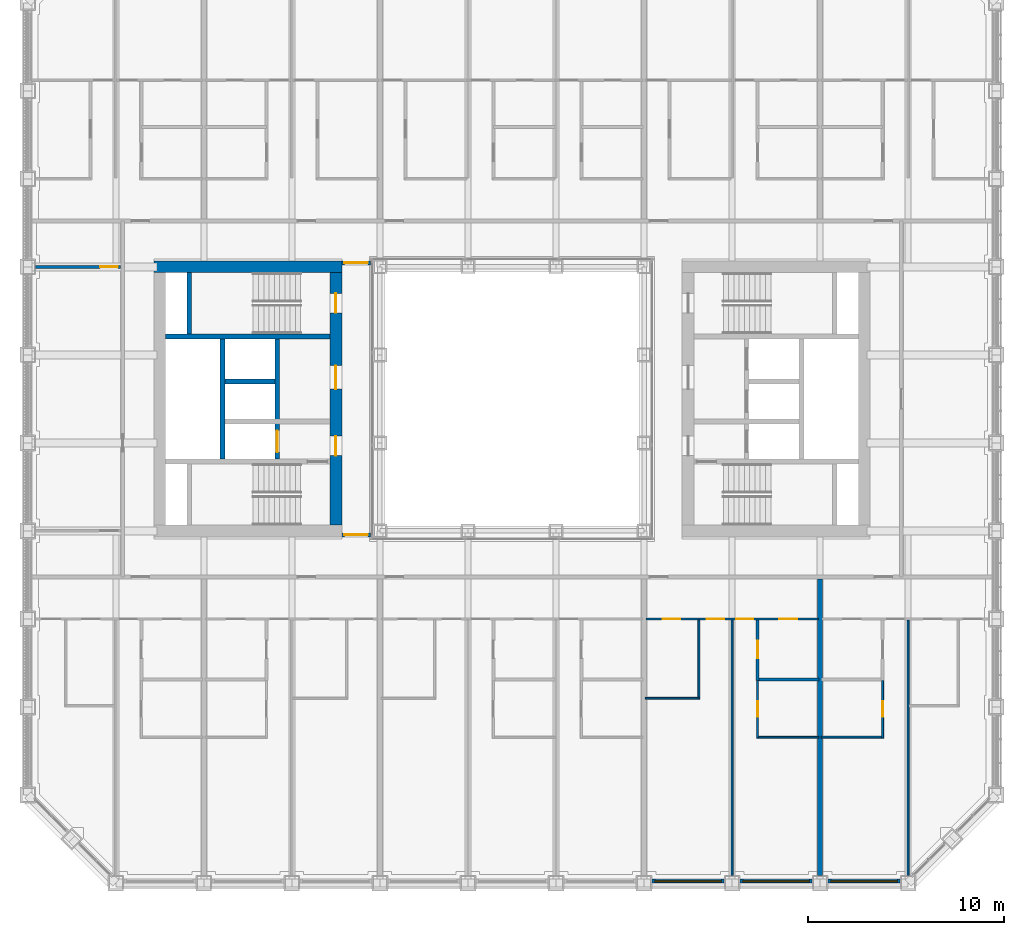
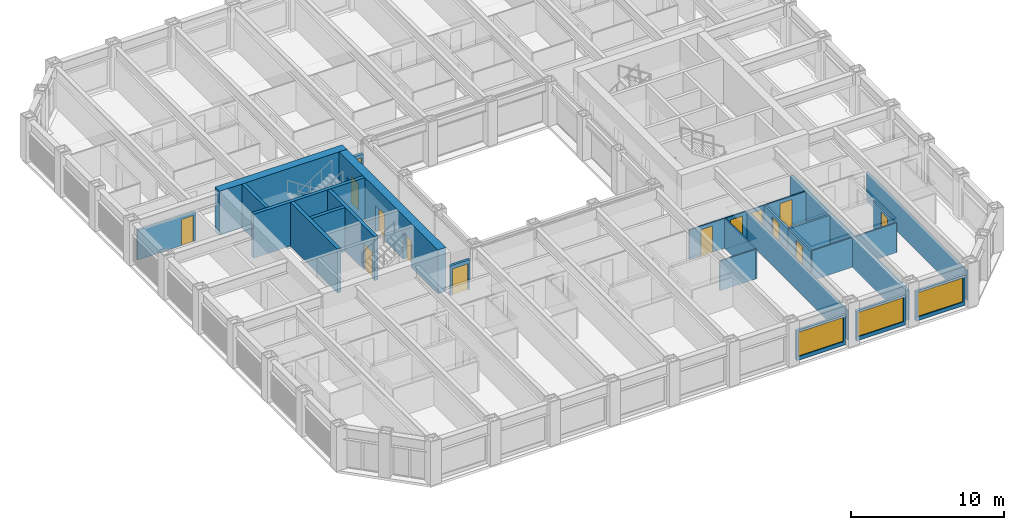
# One storey, part 11 of 21: 25 walls, 14 doors, 3 windows, 17 openings.
"""IFC4 building model written with IfcOpenShell, lengths in metres."""

from ifc_helpers import new_model, si_unit, direction, frame, frame_2d, origin, place, context, subcontext, project, spatial, rectangle, extrude, material, layer, layer_set, type_object, element, fill, save


model = new_model("IFC4")

# Units and contexts
model_context = context("Model", 3, precision=1e-05, world=origin(), true_north=direction((0.0, 1.0)))
body_context = subcontext(model_context, "Body", "Model", "MODEL_VIEW")
ifc_project = project(units=[si_unit("LENGTHUNIT", "METRE"), si_unit("AREAUNIT", "SQUARE_METRE"), si_unit("VOLUMEUNIT", "CUBIC_METRE"), si_unit("PLANEANGLEUNIT", "RADIAN"), si_unit("MASSUNIT", "GRAM", prefix="KILO")], contexts=[model_context])

# Site, building, storey
site_placement = place(None, origin())
site = spatial("IfcSite", under=ifc_project, at=site_placement, CompositionType="ELEMENT")
building_placement = place(site_placement, origin())
building = spatial("IfcBuilding", under=site, at=building_placement, Name="Msasa Ring Tower", CompositionType="ELEMENT")
storey_placement = place(building_placement, frame((0.0, 0.0, 51.0)))
storey = spatial("IfcBuildingStorey", under=building, at=storey_placement, Name="L12", CompositionType="ELEMENT", Elevation=51.0)

# Wall
ifc_material_1 = material(Name="Concrete C60/75", Category="concrete")
ifc_layer_1 = layer(ifc_material_1, 0.60009765625)
ifc_layer_set_1 = layer_set([ifc_layer_1], Name="CW1 CORE WALL 600")
wall_type_1 = type_object("IfcWallType", Name="CW1 CORE WALL 600", PredefinedType="SHEAR", material=ifc_layer_set_1)
wall_1_placement = place(storey_placement, frame((-8.699951171875, 6.75, 0.0), z_axis=(0.0, 0.0, 1.0), x_axis=(-1.0, 0.0, 0.0)))
element("IfcWall", 1, at=wall_1_placement, inside=storey, type_object=wall_type_1, Name="W core wall N L12", PredefinedType="SHEAR", context=body_context, shape_type="SweptSolid", body=[
    extrude(rectangle(XDim=9.60009765625, YDim=0.60009765625, at=frame_2d((4.800048828125, 0.0))), origin(), (0.0, 0.0, 1.0), 3.5),
])

# Wall, openings, doors
wall_2_placement = place(storey_placement, frame((-9.0, -6.449951171875, 0.0), z_axis=(0.0, 0.0, 1.0), x_axis=(0.0, 1.0, 0.0)))
wall_2 = element("IfcWall", 2, at=wall_2_placement, inside=storey, type_object=wall_type_1, Name="W core wall W L12", PredefinedType="SHEAR", context=body_context, shape_type="SweptSolid", body=[
    extrude(rectangle(XDim=12.89990234375, YDim=0.60009765625, at=frame_2d((6.449951171875, 0.0))), origin(), (0.0, 0.0, 1.0), 3.5),
])
opening_1_placement = place(wall_2_placement, frame((3.550048828125, 0.0, 0.0)))
opening_1 = element("IfcOpeningElement", 3, at=opening_1_placement, cuts=wall_2, Name="Opening RC-042", PredefinedType="OPENING", context=body_context, shape_type="SweptSolid", body=[
    extrude(rectangle(XDim=1.0, YDim=2.10009765625, at=frame_2d((0.5, 1.050048828125))), frame((0.0, 0.31005859375, 0.0), z_axis=(0.0, -1.0, 0.0), x_axis=(1.0, 0.0, 0.0)), (0.0, 0.0, 1.0), 0.6201171875),
])
opening_2_placement = place(wall_2_placement, frame((6.949951171875, 0.0, 0.0)))
opening_2 = element("IfcOpeningElement", 4, at=opening_2_placement, cuts=wall_2, Name="Opening RC-038", PredefinedType="OPENING", context=body_context, shape_type="SweptSolid", body=[
    extrude(rectangle(XDim=1.199951171875, YDim=2.10009765625, at=frame_2d((0.60009765625, 1.050048828125))), frame((0.0, 0.31005859375, 0.0), z_axis=(0.0, -1.0, 0.0), x_axis=(1.0, 0.0, 0.0)), (0.0, 0.0, 1.0), 0.6201171875),
])
opening_3_placement = place(wall_2_placement, frame((10.85009765625, 0.0, 0.0)))
opening_3 = element("IfcOpeningElement", 5, at=opening_3_placement, cuts=wall_2, Name="Opening RC-036", PredefinedType="OPENING", context=body_context, shape_type="SweptSolid", body=[
    extrude(rectangle(XDim=1.0, YDim=2.10009765625, at=frame_2d((0.5, 1.050048828125))), frame((0.0, 0.31005859375, 0.0), z_axis=(0.0, -1.0, 0.0), x_axis=(1.0, 0.0, 0.0)), (0.0, 0.0, 1.0), 0.6201171875),
])
ifc_material_2 = material(Name="Timber door leaf in a steel frame", Category="steel")
door_type_1 = type_object("IfcDoorType", Name="D26 WIDE SERVICE ROOM DOOR 1200x2100", OperationType="SINGLE_SWING_LEFT", PredefinedType="DOOR", material=ifc_material_2)
door_1_placement = place(opening_2_placement, origin())
door_1 = element("IfcDoor", 6, at=door_1_placement, inside=storey, type_object=door_type_1, Name="Door L12-WCR", OperationType="SINGLE_SWING_RIGHT", OverallHeight=2.10009765625, OverallWidth=1.199951171875, PredefinedType="DOOR", context=body_context, shape_type="SweptSolid", body=[
    extrude(rectangle(XDim=1.199951171875, YDim=2.10009765625, at=frame_2d((0.60009765625, 1.050048828125))), frame((0.0, 0.02490234375, 0.0), z_axis=(0.0, -1.0, 0.0), x_axis=(1.0, 0.0, 0.0)), (0.0, 0.0, 1.0), 0.050048828125),
])
fill(opening_2, door_1)
ifc_material_3 = material(Name="Timber door leaf in a steel frame", Category="steel")
door_type_2 = type_object("IfcDoorType", Name="D4 LOBBY DOOR 1000x2100", OperationType="SINGLE_SWING_LEFT", PredefinedType="DOOR", material=ifc_material_3)
door_2_placement = place(opening_1_placement, origin())
door_2 = element("IfcDoor", 7, at=door_2_placement, inside=storey, type_object=door_type_2, Name="Door L12-WFFL", OperationType="SINGLE_SWING_LEFT", OverallHeight=2.10009765625, OverallWidth=1.0, PredefinedType="DOOR", context=body_context, shape_type="SweptSolid", body=[
    extrude(rectangle(XDim=1.0, YDim=2.10009765625, at=frame_2d((0.5, 1.050048828125))), frame((0.0, 0.02490234375, 0.0), z_axis=(0.0, -1.0, 0.0), x_axis=(1.0, 0.0, 0.0)), (0.0, 0.0, 1.0), 0.050048828125),
])
fill(opening_1, door_2)
ifc_material_4 = material(Name="Timber door leaf in a steel frame", Category="steel")
door_type_3 = type_object("IfcDoorType", Name="D6 STAIR DOOR 1000x2100", OperationType="SINGLE_SWING_LEFT", PredefinedType="DOOR", material=ifc_material_4)
door_3_placement = place(opening_3_placement, origin())
door_3 = element("IfcDoor", 8, at=door_3_placement, inside=storey, type_object=door_type_3, Name="Door L12-WSTB", OperationType="SINGLE_SWING_RIGHT", OverallHeight=2.10009765625, OverallWidth=1.0, PredefinedType="DOOR", context=body_context, shape_type="SweptSolid", body=[
    extrude(rectangle(XDim=1.0, YDim=2.10009765625, at=frame_2d((0.5, 1.050048828125))), frame((0.0, 0.02490234375, 0.0), z_axis=(0.0, -1.0, 0.0), x_axis=(1.0, 0.0, 0.0)), (0.0, 0.0, 1.0), 0.050048828125),
])
fill(opening_3, door_3)

# Walls
ifc_material_5 = material(Name="Concrete C60/75", Category="concrete")
ifc_layer_2 = layer(ifc_material_5, 0.25)
ifc_layer_set_2 = layer_set([ifc_layer_2], Name="CW4 CORE INNER WALL 250")
wall_type_2 = type_object("IfcWallType", Name="CW4 CORE INNER WALL 250", PredefinedType="SHEAR", material=ifc_layer_set_2)
wall_3_placement = place(storey_placement, frame((-9.300048828125, 3.199951171875, 0.0), z_axis=(0.0, 0.0, 1.0), x_axis=(-1.0, 0.0, 0.0)))
element("IfcWall", 9, at=wall_3_placement, inside=storey, type_object=wall_type_2, Name="W core wall STAIRB L12", PredefinedType="SHEAR", context=body_context, shape_type="SweptSolid", body=[
    extrude(rectangle(XDim=8.39990234375, YDim=0.25, at=frame_2d((4.199951171875, 0.0))), origin(), (0.0, 0.0, 1.0), 3.5),
])
wall_4_placement = place(storey_placement, frame((-16.5, 3.324951171875, 0.0), z_axis=(0.0, 0.0, 1.0), x_axis=(0.0, 1.0, 0.0)))
element("IfcWall", 10, at=wall_4_placement, inside=storey, type_object=wall_type_2, Name="W core wall RISERB L12", PredefinedType="SHEAR", context=body_context, shape_type="SweptSolid", body=[
    extrude(rectangle(XDim=3.125, YDim=0.25, at=frame_2d((1.5625, 0.0))), origin(), (0.0, 0.0, 1.0), 3.5),
])

# Wall, opening, door
wall_5_placement = place(storey_placement, frame((-12.0, -3.074951171875, 0.0), z_axis=(0.0, 0.0, 1.0), x_axis=(0.0, 1.0, 0.0)))
wall_5 = element("IfcWall", 11, at=wall_5_placement, inside=storey, type_object=wall_type_2, Name="W core wall LOBBY L12", PredefinedType="SHEAR", context=body_context, shape_type="SweptSolid", body=[
    extrude(rectangle(XDim=6.14990234375, YDim=0.25, at=frame_2d((3.074951171875, 0.0))), origin(), (0.0, 0.0, 1.0), 3.5),
])
opening_4_placement = place(wall_5_placement, frame((0.35009765625, 0.0, 0.0)))
opening_4 = element("IfcOpeningElement", 12, at=opening_4_placement, cuts=wall_5, Name="Opening LD1", PredefinedType="OPENING", context=body_context, shape_type="SweptSolid", body=[
    extrude(rectangle(XDim=1.10009765625, YDim=2.10009765625, at=frame_2d((0.550048828125, 1.050048828125))), frame((0.0, 0.135009765625, 0.0), z_axis=(0.0, -1.0, 0.0), x_axis=(1.0, 0.0, 0.0)), (0.0, 0.0, 1.0), 0.27001953125),
])
ifc_material_6 = material(Name="Stainless steel lift landing door", Category="steel")
door_type_4 = type_object("IfcDoorType", Name="LD1 LIFT LANDING DOOR 1100x2100", OperationType="DOUBLE_DOOR_SLIDING", PredefinedType="DOOR", material=ifc_material_6)
door_4_placement = place(opening_4_placement, origin())
door_4 = element("IfcDoor", 13, at=door_4_placement, inside=storey, type_object=door_type_4, Name="Lift landing door FL-W L12", OperationType="DOUBLE_DOOR_SLIDING", OverallHeight=2.10009765625, OverallWidth=1.10009765625, PredefinedType="DOOR", context=body_context, shape_type="SweptSolid", body=[
    extrude(rectangle(XDim=1.10009765625, YDim=2.10009765625, at=frame_2d((0.550048828125, 1.050048828125))), frame((0.0, 0.02490234375, 0.0), z_axis=(0.0, -1.0, 0.0), x_axis=(1.0, 0.0, 0.0)), (0.0, 0.0, 1.0), 0.050048828125),
])
fill(opening_4, door_4)

# Walls
wall_6_placement = place(storey_placement, frame((-14.800048828125, -3.074951171875, 0.0), z_axis=(0.0, 0.0, 1.0), x_axis=(0.0, 1.0, 0.0)))
element("IfcWall", 14, at=wall_6_placement, inside=storey, type_object=wall_type_2, Name="W core wall SHAFT L12", PredefinedType="SHEAR", context=body_context, shape_type="SweptSolid", body=[
    extrude(rectangle(XDim=6.14990234375, YDim=0.25, at=frame_2d((3.074951171875, 0.0))), origin(), (0.0, 0.0, 1.0), 3.5),
])
wall_7_placement = place(storey_placement, frame((-12.125, 0.89990234375, 0.0), z_axis=(0.0, 0.0, 1.0), x_axis=(-1.0, 0.0, 0.0)))
element("IfcWall", 15, at=wall_7_placement, inside=storey, type_object=wall_type_2, Name="W core wall LIFT1 L12", PredefinedType="SHEAR", context=body_context, shape_type="SweptSolid", body=[
    extrude(rectangle(XDim=2.550048828125, YDim=0.25, at=frame_2d((1.27490234375, 0.0))), origin(), (0.0, 0.0, 1.0), 3.5),
])

# Wall, opening, window
ifc_material_7 = material(Name="Terracotta rainscreen on blockwork", Category="masonry")
ifc_layer_3 = layer(ifc_material_7, 0.199951171875)
ifc_layer_set_3 = layer_set([ifc_layer_3], Name="FW1 TERRACOTTA-LINED INFILL BAY WALL 200")
wall_type_3 = type_object("IfcWallType", Name="FW1 TERRACOTTA-LINED INFILL BAY WALL 200", PredefinedType="SOLIDWALL", material=ifc_layer_set_3)
wall_8_placement = place(storey_placement, frame((7.155029296875, -24.64990234375, 0.0), z_axis=(0.0, 0.0, 1.0), x_axis=(1.0, 0.0, 0.0)))
wall_8 = element("IfcWall", 16, at=wall_8_placement, inside=storey, type_object=wall_type_3, Name="Infill bay wall S L12 06", PredefinedType="SOLIDWALL", context=body_context, shape_type="SweptSolid", body=[
    extrude(rectangle(XDim=3.68994140625, YDim=0.199951171875, at=frame_2d((1.844970703125, 0.0))), origin(), (0.0, 0.0, 1.0), 2.37890625),
])
opening_5_placement = place(wall_8_placement, frame((0.14501953125, 0.0, 0.300048828125)))
opening_5 = element("IfcOpeningElement", 17, at=opening_5_placement, cuts=wall_8, Name="Opening WN1", PredefinedType="OPENING", context=body_context, shape_type="SweptSolid", body=[
    extrude(rectangle(XDim=3.39990234375, YDim=1.928955078125, at=frame_2d((1.699951171875, 0.96435546875))), frame((0.0, 0.10986328125, 0.0), z_axis=(0.0, -1.0, 0.0), x_axis=(1.0, 0.0, 0.0)), (0.0, 0.0, 1.0), 0.219970703125),
])
ifc_material_8 = material(Name="Aluminium frame with clear glass", Category="aluminium")
window_type = type_object("IfcWindowType", Name="WN1 RESIDENCE WINDOW 3400x1929", PartitioningType="SINGLE_PANEL", PredefinedType="WINDOW", material=ifc_material_8)
window_1_placement = place(opening_5_placement, origin())
window_1 = element("IfcWindow", 18, at=window_1_placement, inside=storey, type_object=window_type, Name="Window S L12 06", OverallHeight=1.928955078125, OverallWidth=3.39990234375, PartitioningType="SINGLE_PANEL", PredefinedType="WINDOW", context=body_context, shape_type="SweptSolid", body=[
    extrude(rectangle(XDim=3.39990234375, YDim=1.928955078125, at=frame_2d((1.699951171875, 0.96435546875))), frame((0.0, 0.030029296875, 0.0), z_axis=(0.0, -1.0, 0.0), x_axis=(1.0, 0.0, 0.0)), (0.0, 0.0, 1.0), 0.06005859375),
])
fill(opening_5, window_1)

wall_9_placement = place(storey_placement, frame((11.655029296875, -24.64990234375, 0.0), z_axis=(0.0, 0.0, 1.0), x_axis=(1.0, 0.0, 0.0)))
wall_9 = element("IfcWall", 19, at=wall_9_placement, inside=storey, type_object=wall_type_3, Name="Infill bay wall S L12 07", PredefinedType="SOLIDWALL", context=body_context, shape_type="SweptSolid", body=[
    extrude(rectangle(XDim=3.68994140625, YDim=0.199951171875, at=frame_2d((1.844970703125, 0.0))), origin(), (0.0, 0.0, 1.0), 2.37890625),
])
opening_6_placement = place(wall_9_placement, frame((0.14501953125, 0.0, 0.300048828125)))
opening_6 = element("IfcOpeningElement", 20, at=opening_6_placement, cuts=wall_9, Name="Opening WN1", PredefinedType="OPENING", context=body_context, shape_type="SweptSolid", body=[
    extrude(rectangle(XDim=3.39990234375, YDim=1.928955078125, at=frame_2d((1.699951171875, 0.96435546875))), frame((0.0, 0.10986328125, 0.0), z_axis=(0.0, -1.0, 0.0), x_axis=(1.0, 0.0, 0.0)), (0.0, 0.0, 1.0), 0.219970703125),
])
window_2_placement = place(opening_6_placement, origin())
window_2 = element("IfcWindow", 21, at=window_2_placement, inside=storey, type_object=window_type, Name="Window S L12 07", OverallHeight=1.928955078125, OverallWidth=3.39990234375, PartitioningType="SINGLE_PANEL", PredefinedType="WINDOW", context=body_context, shape_type="SweptSolid", body=[
    extrude(rectangle(XDim=3.39990234375, YDim=1.928955078125, at=frame_2d((1.699951171875, 0.96435546875))), frame((0.0, 0.030029296875, 0.0), z_axis=(0.0, -1.0, 0.0), x_axis=(1.0, 0.0, 0.0)), (0.0, 0.0, 1.0), 0.06005859375),
])
fill(opening_6, window_2)

wall_10_placement = place(storey_placement, frame((16.155029296875, -24.64990234375, 0.0), z_axis=(0.0, 0.0, 1.0), x_axis=(1.0, 0.0, 0.0)))
wall_10 = element("IfcWall", 22, at=wall_10_placement, inside=storey, type_object=wall_type_3, Name="Infill bay wall S L12 08", PredefinedType="SOLIDWALL", context=body_context, shape_type="SweptSolid", body=[
    extrude(rectangle(XDim=3.68994140625, YDim=0.199951171875, at=frame_2d((1.844970703125, 0.0))), origin(), (0.0, 0.0, 1.0), 2.37890625),
])
opening_7_placement = place(wall_10_placement, frame((0.14501953125, 0.0, 0.300048828125)))
opening_7 = element("IfcOpeningElement", 23, at=opening_7_placement, cuts=wall_10, Name="Opening WN1", PredefinedType="OPENING", context=body_context, shape_type="SweptSolid", body=[
    extrude(rectangle(XDim=3.39990234375, YDim=1.928955078125, at=frame_2d((1.699951171875, 0.96435546875))), frame((0.0, 0.10986328125, 0.0), z_axis=(0.0, -1.0, 0.0), x_axis=(1.0, 0.0, 0.0)), (0.0, 0.0, 1.0), 0.219970703125),
])
window_3_placement = place(opening_7_placement, origin())
window_3 = element("IfcWindow", 24, at=window_3_placement, inside=storey, type_object=window_type, Name="Window S L12 08", OverallHeight=1.928955078125, OverallWidth=3.39990234375, PartitioningType="SINGLE_PANEL", PredefinedType="WINDOW", context=body_context, shape_type="SweptSolid", body=[
    extrude(rectangle(XDim=3.39990234375, YDim=1.928955078125, at=frame_2d((1.699951171875, 0.96435546875))), frame((0.0, 0.030029296875, 0.0), z_axis=(0.0, -1.0, 0.0), x_axis=(1.0, 0.0, 0.0)), (0.0, 0.0, 1.0), 0.06005859375),
])
fill(opening_7, window_3)

# Wall, opening, door
ifc_material_9 = material(Name="Concrete blockwork", Category="masonry")
ifc_layer_4 = layer(ifc_material_9, 0.199951171875)
ifc_layer_set_4 = layer_set([ifc_layer_4], Name="PT1 CORRIDOR WALL 200")
wall_type_4 = type_object("IfcWallType", Name="PT1 CORRIDOR WALL 200", PredefinedType="PARTITIONING", material=ifc_layer_set_4)
wall_11_placement = place(storey_placement, frame((-8.699951171875, 6.949951171875, 0.0), z_axis=(0.0, 0.0, 1.0), x_axis=(1.0, 0.0, 0.0)))
wall_11 = element("IfcWall", 25, at=wall_11_placement, inside=storey, type_object=wall_type_4, Name="Corridor wall L12-SDWN", PredefinedType="PARTITIONING", context=body_context, shape_type="SweptSolid", body=[
    extrude(rectangle(XDim=1.469970703125, YDim=0.199951171875, at=frame_2d((0.73486328125, 0.0))), origin(), (0.0, 0.0, 1.0), 2.373291015625),
])
opening_8_placement = place(wall_11_placement, frame((0.135009765625, 0.0, 0.0)))
opening_8 = element("IfcOpeningElement", 26, at=opening_8_placement, cuts=wall_11, Name="Opening RC-034", PredefinedType="OPENING", context=body_context, shape_type="SweptSolid", body=[
    extrude(rectangle(XDim=1.199951171875, YDim=2.10009765625, at=frame_2d((0.60009765625, 1.050048828125))), frame((0.0, 0.10986328125, 0.0), z_axis=(0.0, -1.0, 0.0), x_axis=(1.0, 0.0, 0.0)), (0.0, 0.0, 1.0), 0.219970703125),
])
ifc_material_10 = material(Name="Timber door leaf in a steel frame", Category="steel")
door_type_5 = type_object("IfcDoorType", Name="D25 CORRIDOR PAIR OF SMOKE DOORS 1200x2100", OperationType="DOUBLE_DOOR_DOUBLE_SWING", PredefinedType="DOOR", material=ifc_material_10)
door_5_placement = place(opening_8_placement, origin())
door_5 = element("IfcDoor", 27, at=door_5_placement, inside=storey, type_object=door_type_5, Name="Door L12-SDWN", OperationType="DOUBLE_DOOR_DOUBLE_SWING", OverallHeight=2.10009765625, OverallWidth=1.199951171875, PredefinedType="DOOR", context=body_context, shape_type="SweptSolid", body=[
    extrude(rectangle(XDim=1.199951171875, YDim=2.10009765625, at=frame_2d((0.60009765625, 1.050048828125))), frame((0.0, 0.02490234375, 0.0), z_axis=(0.0, -1.0, 0.0), x_axis=(1.0, 0.0, 0.0)), (0.0, 0.0, 1.0), 0.050048828125),
])
fill(opening_8, door_5)

wall_12_placement = place(storey_placement, frame((-8.699951171875, -6.949951171875, 0.0), z_axis=(0.0, 0.0, 1.0), x_axis=(1.0, 0.0, 0.0)))
wall_12 = element("IfcWall", 28, at=wall_12_placement, inside=storey, type_object=wall_type_4, Name="Corridor wall L12-SDWS", PredefinedType="PARTITIONING", context=body_context, shape_type="SweptSolid", body=[
    extrude(rectangle(XDim=1.469970703125, YDim=0.199951171875, at=frame_2d((0.73486328125, 0.0))), origin(), (0.0, 0.0, 1.0), 2.373291015625),
])
opening_9_placement = place(wall_12_placement, frame((0.135009765625, 0.0, 0.0)))
opening_9 = element("IfcOpeningElement", 29, at=opening_9_placement, cuts=wall_12, Name="Opening RC-047", PredefinedType="OPENING", context=body_context, shape_type="SweptSolid", body=[
    extrude(rectangle(XDim=1.199951171875, YDim=2.10009765625, at=frame_2d((0.60009765625, 1.050048828125))), frame((0.0, 0.10986328125, 0.0), z_axis=(0.0, -1.0, 0.0), x_axis=(1.0, 0.0, 0.0)), (0.0, 0.0, 1.0), 0.219970703125),
])
door_6_placement = place(opening_9_placement, origin())
door_6 = element("IfcDoor", 30, at=door_6_placement, inside=storey, type_object=door_type_5, Name="Door L12-SDWS", OperationType="DOUBLE_DOOR_DOUBLE_SWING", OverallHeight=2.10009765625, OverallWidth=1.199951171875, PredefinedType="DOOR", context=body_context, shape_type="SweptSolid", body=[
    extrude(rectangle(XDim=1.199951171875, YDim=2.10009765625, at=frame_2d((0.60009765625, 1.050048828125))), frame((0.0, 0.02490234375, 0.0), z_axis=(0.0, -1.0, 0.0), x_axis=(1.0, 0.0, 0.0)), (0.0, 0.0, 1.0), 0.050048828125),
])
fill(opening_9, door_6)

# Wall, openings, doors
ifc_material_11 = material(Name="Gypsum board on steel studs", Category="steel")
ifc_layer_5 = layer(ifc_material_11, 0.10009765625)
ifc_layer_set_5 = layer_set([ifc_layer_5], Name="PT2 STUD PARTITION 100")
wall_type_5 = type_object("IfcWallType", Name="PT2 STUD PARTITION 100", PredefinedType="PARTITIONING", material=ifc_layer_set_5)
wall_13_placement = place(storey_placement, frame((6.85009765625, -11.25, 0.0), z_axis=(0.0, 0.0, 1.0), x_axis=(1.0, 0.0, 0.0)))
wall_13 = element("IfcWall", 31, at=wall_13_placement, inside=storey, type_object=wall_type_5, Name="Partition L12-US03HY", PredefinedType="PARTITIONING", context=body_context, shape_type="SweptSolid", body=[
    extrude(rectangle(XDim=8.7998046875, YDim=0.10009765625, at=frame_2d((4.39990234375, 0.0))), origin(), (0.0, 0.0, 1.0), 2.373291015625),
])
opening_10_placement = place(wall_13_placement, frame((0.85009765625, 0.0, 0.0)))
opening_10 = element("IfcOpeningElement", 32, at=opening_10_placement, cuts=wall_13, Name="Opening RC-066", PredefinedType="OPENING", context=body_context, shape_type="SweptSolid", body=[
    extrude(rectangle(XDim=0.89990234375, YDim=2.10009765625, at=frame_2d((0.449951171875, 1.050048828125))), frame((0.0, 0.06005859375, 0.0), z_axis=(0.0, -1.0, 0.0), x_axis=(1.0, 0.0, 0.0)), (0.0, 0.0, 1.0), 0.1201171875),
])
opening_11_placement = place(wall_13_placement, frame((3.10009765625, 0.0, 0.0)))
opening_11 = element("IfcOpeningElement", 33, at=opening_11_placement, cuts=wall_13, Name="Opening RC-067", PredefinedType="OPENING", context=body_context, shape_type="SweptSolid", body=[
    extrude(rectangle(XDim=0.89990234375, YDim=2.10009765625, at=frame_2d((0.449951171875, 1.050048828125))), frame((0.0, 0.06005859375, 0.0), z_axis=(0.0, -1.0, 0.0), x_axis=(1.0, 0.0, 0.0)), (0.0, 0.0, 1.0), 0.1201171875),
])
opening_12_placement = place(wall_13_placement, frame((4.625, 0.0, 0.0)))
opening_12 = element("IfcOpeningElement", 34, at=opening_12_placement, cuts=wall_13, Name="Opening RC-068", PredefinedType="OPENING", context=body_context, shape_type="SweptSolid", body=[
    extrude(rectangle(XDim=0.85009765625, YDim=2.10009765625, at=frame_2d((0.425048828125, 1.050048828125))), frame((0.0, 0.06005859375, 0.0), z_axis=(0.0, -1.0, 0.0), x_axis=(1.0, 0.0, 0.0)), (0.0, 0.0, 1.0), 0.1201171875),
])
opening_13_placement = place(wall_13_placement, frame((6.820068359375, 0.0, 0.0)))
opening_13 = element("IfcOpeningElement", 35, at=opening_13_placement, cuts=wall_13, Name="Opening RC-069", PredefinedType="OPENING", context=body_context, shape_type="SweptSolid", body=[
    extrude(rectangle(XDim=0.89990234375, YDim=2.10009765625, at=frame_2d((0.449951171875, 1.050048828125))), frame((0.0, 0.06005859375, 0.0), z_axis=(0.0, -1.0, 0.0), x_axis=(1.0, 0.0, 0.0)), (0.0, 0.0, 1.0), 0.1201171875),
])
ifc_material_12 = material(Name="Timber door leaf in a steel frame", Category="steel")
door_type_6 = type_object("IfcDoorType", Name="D14 BEDROOM DOOR 850x2100", OperationType="SINGLE_SWING_LEFT", PredefinedType="DOOR", material=ifc_material_12)
door_7_placement = place(opening_12_placement, origin())
door_7 = element("IfcDoor", 36, at=door_7_placement, inside=storey, type_object=door_type_6, Name="Door L12-US03R1", OperationType="SINGLE_SWING_RIGHT", OverallHeight=2.10009765625, OverallWidth=0.85009765625, PredefinedType="DOOR", context=body_context, shape_type="SweptSolid", body=[
    extrude(rectangle(XDim=0.85009765625, YDim=2.10009765625, at=frame_2d((0.425048828125, 1.050048828125))), frame((0.0, 0.02490234375, 0.0), z_axis=(0.0, -1.0, 0.0), x_axis=(1.0, 0.0, 0.0)), (0.0, 0.0, 1.0), 0.050048828125),
])
fill(opening_12, door_7)
ifc_material_13 = material(Name="Timber door leaf in a steel frame", Category="steel")
door_type_7 = type_object("IfcDoorType", Name="D22 INTERNAL HALL DOOR 900x2100", OperationType="SINGLE_SWING_LEFT", PredefinedType="DOOR", material=ifc_material_13)
door_8_placement = place(opening_10_placement, origin())
door_8 = element("IfcDoor", 37, at=door_8_placement, inside=storey, type_object=door_type_7, Name="Door L12-US03K", OperationType="SINGLE_SWING_LEFT", OverallHeight=2.10009765625, OverallWidth=0.89990234375, PredefinedType="DOOR", context=body_context, shape_type="SweptSolid", body=[
    extrude(rectangle(XDim=0.89990234375, YDim=2.10009765625, at=frame_2d((0.449951171875, 1.050048828125))), frame((0.0, 0.02490234375, 0.0), z_axis=(0.0, -1.0, 0.0), x_axis=(1.0, 0.0, 0.0)), (0.0, 0.0, 1.0), 0.050048828125),
])
fill(opening_10, door_8)
door_9_placement = place(opening_11_placement, origin())
door_9 = element("IfcDoor", 38, at=door_9_placement, inside=storey, type_object=door_type_7, Name="Door L12-US03L", OperationType="SINGLE_SWING_LEFT", OverallHeight=2.10009765625, OverallWidth=0.89990234375, PredefinedType="DOOR", context=body_context, shape_type="SweptSolid", body=[
    extrude(rectangle(XDim=0.89990234375, YDim=2.10009765625, at=frame_2d((0.449951171875, 1.050048828125))), frame((0.0, 0.02490234375, 0.0), z_axis=(0.0, -1.0, 0.0), x_axis=(1.0, 0.0, 0.0)), (0.0, 0.0, 1.0), 0.050048828125),
])
fill(opening_11, door_9)
ifc_material_14 = material(Name="Timber door leaf in a steel frame", Category="steel")
door_type_8 = type_object("IfcDoorType", Name="D3 BATHROOM DOOR 900x2100", OperationType="SINGLE_SWING_LEFT", PredefinedType="DOOR", material=ifc_material_14)
door_10_placement = place(opening_13_placement, origin())
door_10 = element("IfcDoor", 39, at=door_10_placement, inside=storey, type_object=door_type_8, Name="Door L12-US03BH1", OperationType="SINGLE_SWING_RIGHT", OverallHeight=2.10009765625, OverallWidth=0.89990234375, PredefinedType="DOOR", context=body_context, shape_type="SweptSolid", body=[
    extrude(rectangle(XDim=0.89990234375, YDim=2.10009765625, at=frame_2d((0.449951171875, 1.050048828125))), frame((0.0, 0.02490234375, 0.0), z_axis=(0.0, -1.0, 0.0), x_axis=(1.0, 0.0, 0.0)), (0.0, 0.0, 1.0), 0.050048828125),
])
fill(opening_13, door_10)

# Walls
wall_14_placement = place(storey_placement, frame((9.550048828125, -15.35009765625, 0.0), z_axis=(0.0, 0.0, 1.0), x_axis=(0.0, 1.0, 0.0)))
element("IfcWall", 40, at=wall_14_placement, inside=storey, type_object=wall_type_5, Name="Partition L12-US03KX", PredefinedType="PARTITIONING", context=body_context, shape_type="SweptSolid", body=[
    extrude(rectangle(XDim=4.050048828125, YDim=0.10009765625, at=frame_2d((2.02490234375, 0.0))), origin(), (0.0, 0.0, 1.0), 2.373291015625),
])
wall_15_placement = place(storey_placement, frame((6.81005859375, -15.300048828125, 0.0), z_axis=(0.0, 0.0, 1.0), x_axis=(1.0, 0.0, 0.0)))
element("IfcWall", 41, at=wall_15_placement, inside=storey, type_object=wall_type_5, Name="Partition L12-US03KY", PredefinedType="PARTITIONING", context=body_context, shape_type="SweptSolid", body=[
    extrude(rectangle(XDim=2.739990234375, YDim=0.10009765625, at=frame_2d((1.3701171875, 0.0))), origin(), (0.0, 0.0, 1.0), 2.373291015625),
])
wall_16_placement = place(storey_placement, frame((11.25, -24.35009765625, 0.0), z_axis=(0.0, 0.0, 1.0), x_axis=(0.0, 1.0, 0.0)))
element("IfcWall", 42, at=wall_16_placement, inside=storey, type_object=wall_type_5, Name="Partition L12-US03P1", PredefinedType="PARTITIONING", context=body_context, shape_type="SweptSolid", body=[
    extrude(rectangle(XDim=13.050048828125, YDim=0.10009765625, at=frame_2d((6.52490234375, 0.0))), origin(), (0.0, 0.0, 1.0), 2.373291015625),
])

# Wall, opening, door
wall_17_placement = place(storey_placement, frame((12.550048828125, -17.343505859375, 0.0), z_axis=(0.0, 0.0, 1.0), x_axis=(0.0, 1.0, 0.0)))
wall_17 = element("IfcWall", 43, at=wall_17_placement, inside=storey, type_object=wall_type_5, Name="Partition L12-US03WX1", PredefinedType="PARTITIONING", context=body_context, shape_type="SweptSolid", body=[
    extrude(rectangle(XDim=2.943603515625, YDim=0.10009765625, at=frame_2d((1.4716796875, 0.0))), origin(), (0.0, 0.0, 1.0), 2.373291015625),
])
opening_14_placement = place(wall_17_placement, frame((1.0966796875, 0.0, 0.0)))
opening_14 = element("IfcOpeningElement", 44, at=opening_14_placement, cuts=wall_17, Name="Opening RC-084", PredefinedType="OPENING", context=body_context, shape_type="SweptSolid", body=[
    extrude(rectangle(XDim=0.800048828125, YDim=2.10009765625, at=frame_2d((0.39990234375, 1.050048828125))), frame((0.0, 0.06005859375, 0.0), z_axis=(0.0, -1.0, 0.0), x_axis=(1.0, 0.0, 0.0)), (0.0, 0.0, 1.0), 0.1201171875),
])
ifc_material_15 = material(Name="Timber door leaf in a steel frame", Category="steel")
door_type_9 = type_object("IfcDoorType", Name="D60 DRESSING ROOM DOOR 800x2100", OperationType="SINGLE_SWING_LEFT", PredefinedType="DOOR", material=ifc_material_15)
door_11_placement = place(opening_14_placement, origin())
door_11 = element("IfcDoor", 45, at=door_11_placement, inside=storey, type_object=door_type_9, Name="Door L12-US03W1", OperationType="SINGLE_SWING_LEFT", OverallHeight=2.10009765625, OverallWidth=0.800048828125, PredefinedType="DOOR", context=body_context, shape_type="SweptSolid", body=[
    extrude(rectangle(XDim=0.800048828125, YDim=2.10009765625, at=frame_2d((0.39990234375, 1.050048828125))), frame((0.0, 0.02490234375, 0.0), z_axis=(0.0, -1.0, 0.0), x_axis=(1.0, 0.0, 0.0)), (0.0, 0.0, 1.0), 0.050048828125),
])
fill(opening_14, door_11)

# Walls
wall_18_placement = place(storey_placement, frame((12.550048828125, -17.29345703125, 0.0), z_axis=(0.0, 0.0, 1.0), x_axis=(1.0, 0.0, 0.0)))
element("IfcWall", 46, at=wall_18_placement, inside=storey, type_object=wall_type_5, Name="Partition L12-US03WY1", PredefinedType="PARTITIONING", context=body_context, shape_type="SweptSolid", body=[
    extrude(rectangle(XDim=3.139892578125, YDim=0.10009765625, at=frame_2d((1.56982421875, 0.0))), origin(), (0.0, 0.0, 1.0), 2.373291015625),
])
wall_19_placement = place(storey_placement, frame((20.25, -24.35009765625, 0.0), z_axis=(0.0, 0.0, 1.0), x_axis=(0.0, 1.0, 0.0)))
element("IfcWall", 47, at=wall_19_placement, inside=storey, type_object=wall_type_5, Name="Partition L12-US04P1", PredefinedType="PARTITIONING", context=body_context, shape_type="SweptSolid", body=[
    extrude(rectangle(XDim=13.050048828125, YDim=0.10009765625, at=frame_2d((6.52490234375, 0.0))), origin(), (0.0, 0.0, 1.0), 2.373291015625),
])

# Wall, opening, door
wall_20_placement = place(storey_placement, frame((18.949951171875, -17.3408203125, 0.0), z_axis=(0.0, 0.0, 1.0), x_axis=(0.0, 1.0, 0.0)))
wall_20 = element("IfcWall", 48, at=wall_20_placement, inside=storey, type_object=wall_type_5, Name="Partition L12-US04WX1", PredefinedType="PARTITIONING", context=body_context, shape_type="SweptSolid", body=[
    extrude(rectangle(XDim=2.94091796875, YDim=0.10009765625, at=frame_2d((1.470458984375, 0.0))), origin(), (0.0, 0.0, 1.0), 2.373291015625),
])
opening_15_placement = place(wall_20_placement, frame((1.095458984375, 0.0, 0.0)))
opening_15 = element("IfcOpeningElement", 49, at=opening_15_placement, cuts=wall_20, Name="Opening RC-085", PredefinedType="OPENING", context=body_context, shape_type="SweptSolid", body=[
    extrude(rectangle(XDim=0.800048828125, YDim=2.10009765625, at=frame_2d((0.39990234375, 1.050048828125))), frame((0.0, 0.06005859375, 0.0), z_axis=(0.0, -1.0, 0.0), x_axis=(1.0, 0.0, 0.0)), (0.0, 0.0, 1.0), 0.1201171875),
])
door_12_placement = place(opening_15_placement, origin())
door_12 = element("IfcDoor", 50, at=door_12_placement, inside=storey, type_object=door_type_9, Name="Door L12-US04W1", OperationType="SINGLE_SWING_LEFT", OverallHeight=2.10009765625, OverallWidth=0.800048828125, PredefinedType="DOOR", context=body_context, shape_type="SweptSolid", body=[
    extrude(rectangle(XDim=0.800048828125, YDim=2.10009765625, at=frame_2d((0.39990234375, 1.050048828125))), frame((0.0, 0.02490234375, 0.0), z_axis=(0.0, -1.0, 0.0), x_axis=(1.0, 0.0, 0.0)), (0.0, 0.0, 1.0), 0.050048828125),
])
fill(opening_15, door_12)

# Walls
wall_21_placement = place(storey_placement, frame((15.81005859375, -17.291015625, 0.0), z_axis=(0.0, 0.0, 1.0), x_axis=(1.0, 0.0, 0.0)))
element("IfcWall", 51, at=wall_21_placement, inside=storey, type_object=wall_type_5, Name="Partition L12-US04WY1", PredefinedType="PARTITIONING", context=body_context, shape_type="SweptSolid", body=[
    extrude(rectangle(XDim=3.139892578125, YDim=0.10009765625, at=frame_2d((1.56982421875, 0.0))), origin(), (0.0, 0.0, 1.0), 2.373291015625),
])
ifc_material_16 = material(Name="Dense concrete blockwork, plastered both faces", Category="masonry")
ifc_layer_6 = layer(ifc_material_16, 0.25)
ifc_layer_set_6 = layer_set([ifc_layer_6], Name="PT3 APARTMENT SEPARATING WALL 250")
wall_type_6 = type_object("IfcWallType", Name="PT3 APARTMENT SEPARATING WALL 250", PredefinedType="PARTITIONING", material=ifc_layer_set_6)
wall_22_placement = place(storey_placement, frame((15.75, -24.35009765625, 0.0), z_axis=(0.0, 0.0, 1.0), x_axis=(0.0, 1.0, 0.0)))
element("IfcWall", 52, at=wall_22_placement, inside=storey, type_object=wall_type_6, Name="Party wall L12-PWS+15.75", PredefinedType="PARTITIONING", context=body_context, shape_type="SweptSolid", body=[
    extrude(rectangle(XDim=15.150146484375, YDim=0.25, at=frame_2d((7.5751953125, 0.0))), origin(), (0.0, 0.0, 1.0), 2.373291015625),
])

# Wall, opening, door
ifc_material_17 = material(Name="Moisture-resistant board on steel studs with a concealed cistern and pipe void, tiled", Category="steel")
ifc_layer_7 = layer(ifc_material_17, 0.14990234375)
ifc_layer_set_7 = layer_set([ifc_layer_7], Name="PT4 BATHROOM WET WALL 150")
wall_type_7 = type_object("IfcWallType", Name="PT4 BATHROOM WET WALL 150", PredefinedType="PARTITIONING", material=ifc_layer_set_7)
wall_23_placement = place(storey_placement, frame((12.550048828125, -14.39990234375, 0.0), z_axis=(0.0, 0.0, 1.0), x_axis=(0.0, 1.0, 0.0)))
wall_23 = element("IfcWall", 53, at=wall_23_placement, inside=storey, type_object=wall_type_7, Name="Partition L12-US03BX1", PredefinedType="PARTITIONING", context=body_context, shape_type="SweptSolid", body=[
    extrude(rectangle(XDim=3.099853515625, YDim=0.14990234375, at=frame_2d((1.5498046875, 0.0))), origin(), (0.0, 0.0, 1.0), 2.373291015625),
])
opening_16_placement = place(wall_23_placement, frame((1.14990234375, 0.0, 0.0)))
opening_16 = element("IfcOpeningElement", 54, at=opening_16_placement, cuts=wall_23, Name="Opening RC-078", PredefinedType="OPENING", context=body_context, shape_type="SweptSolid", body=[
    extrude(rectangle(XDim=0.89990234375, YDim=2.10009765625, at=frame_2d((0.449951171875, 1.050048828125))), frame((0.0, 0.0849609375, 0.0), z_axis=(0.0, -1.0, 0.0), x_axis=(1.0, 0.0, 0.0)), (0.0, 0.0, 1.0), 0.169921875),
])
door_13_placement = place(opening_16_placement, origin())
door_13 = element("IfcDoor", 55, at=door_13_placement, inside=storey, type_object=door_type_8, Name="Door L12-US03B1", OperationType="SINGLE_SWING_RIGHT", OverallHeight=2.10009765625, OverallWidth=0.89990234375, PredefinedType="DOOR", context=body_context, shape_type="SweptSolid", body=[
    extrude(rectangle(XDim=0.89990234375, YDim=2.10009765625, at=frame_2d((0.449951171875, 1.050048828125))), frame((0.0, 0.02490234375, 0.0), z_axis=(0.0, -1.0, 0.0), x_axis=(1.0, 0.0, 0.0)), (0.0, 0.0, 1.0), 0.050048828125),
])
fill(opening_16, door_13)

# Wall
wall_24_placement = place(storey_placement, frame((12.550048828125, -14.35009765625, 0.0), z_axis=(0.0, 0.0, 1.0), x_axis=(1.0, 0.0, 0.0)))
element("IfcWall", 56, at=wall_24_placement, inside=storey, type_object=wall_type_7, Name="Partition L12-US03BY1", PredefinedType="PARTITIONING", context=body_context, shape_type="SweptSolid", body=[
    extrude(rectangle(XDim=3.139892578125, YDim=0.14990234375, at=frame_2d((1.56982421875, 0.0))), origin(), (0.0, 0.0, 1.0), 2.373291015625),
])

# Wall, opening, door
wall_25_placement = place(storey_placement, frame((-24.35009765625, 6.75, 0.0), z_axis=(0.0, 0.0, 1.0), x_axis=(1.0, 0.0, 0.0)))
wall_25 = element("IfcWall", 57, at=wall_25_placement, inside=storey, type_object=wall_type_7, Name="Partition L12-STWBY", PredefinedType="PARTITIONING", context=body_context, shape_type="SweptSolid", body=[
    extrude(rectangle(XDim=4.35009765625, YDim=0.14990234375, at=frame_2d((2.175048828125, 0.0))), origin(), (0.0, 0.0, 1.0), 2.373291015625),
])
opening_17_placement = place(wall_25_placement, frame((3.300048828125, 0.0, 0.0)))
opening_17 = element("IfcOpeningElement", 58, at=opening_17_placement, cuts=wall_25, Name="Opening RC-035", PredefinedType="OPENING", context=body_context, shape_type="SweptSolid", body=[
    extrude(rectangle(XDim=0.89990234375, YDim=2.10009765625, at=frame_2d((0.449951171875, 1.050048828125))), frame((0.0, 0.0849609375, 0.0), z_axis=(0.0, -1.0, 0.0), x_axis=(1.0, 0.0, 0.0)), (0.0, 0.0, 1.0), 0.169921875),
])
door_14_placement = place(opening_17_placement, origin())
door_14 = element("IfcDoor", 59, at=door_14_placement, inside=storey, type_object=door_type_8, Name="Door L12-STWB", OperationType="SINGLE_SWING_RIGHT", OverallHeight=2.10009765625, OverallWidth=0.89990234375, PredefinedType="DOOR", context=body_context, shape_type="SweptSolid", body=[
    extrude(rectangle(XDim=0.89990234375, YDim=2.10009765625, at=frame_2d((0.449951171875, 1.050048828125))), frame((0.0, 0.02490234375, 0.0), z_axis=(0.0, -1.0, 0.0), x_axis=(1.0, 0.0, 0.0)), (0.0, 0.0, 1.0), 0.050048828125),
])
fill(opening_17, door_14)

save(model, "model.ifc")
